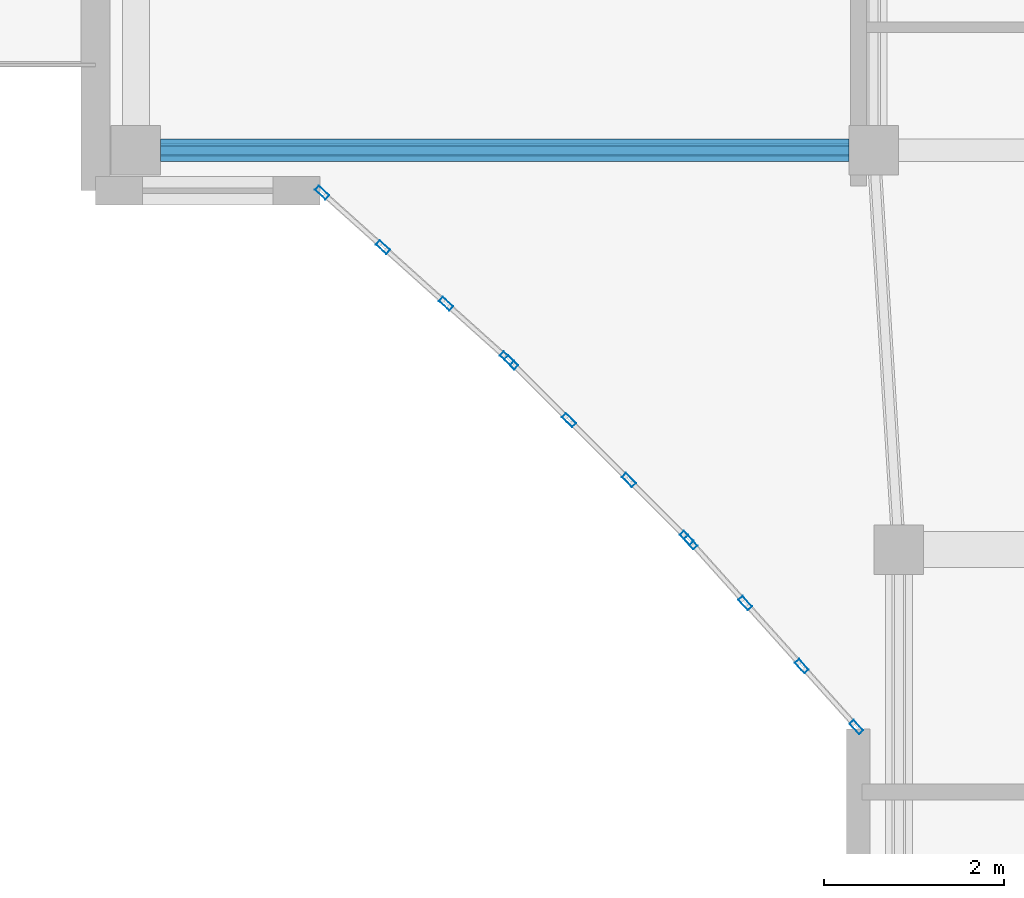
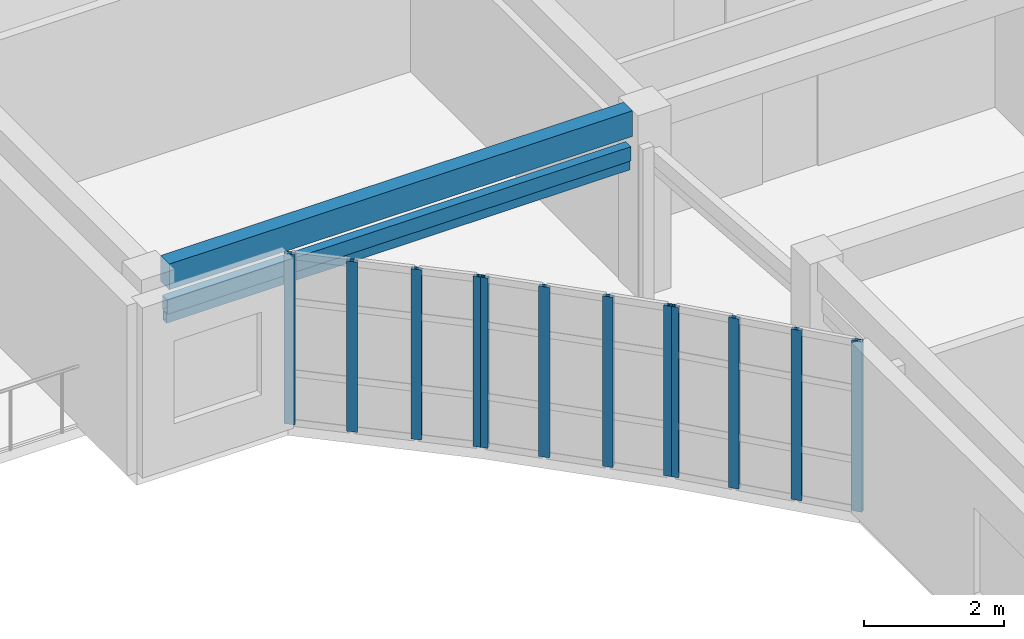
# One storey, part 4 of 68: 14 members, 1 beam, 3 elements without a shape of their own.
"""IFC4 building model written with IfcOpenShell, lengths in metres."""

from ifc_helpers import new_model, si_unit, direction, frame, origin, origin_2d, place, context, subcontext, project, spatial, rectangle, hollow_rectangle, extrude, material, layer, layer_set, material_profile, profile_set, type_object, element, aggregate, save


model = new_model("IFC4")

# Units and contexts
model_context = context("Model", 3, precision=1e-05, world=origin(), true_north=direction((0.0, 1.0)))
body_context = subcontext(model_context, "Body", "Model", "MODEL_VIEW")
ifc_project = project(units=[si_unit("LENGTHUNIT", "METRE"), si_unit("AREAUNIT", "SQUARE_METRE"), si_unit("VOLUMEUNIT", "CUBIC_METRE"), si_unit("PLANEANGLEUNIT", "RADIAN"), si_unit("MASSUNIT", "GRAM", prefix="KILO")], contexts=[model_context])

# Site, building, storey
site_placement = place(None, origin())
site = spatial("IfcSite", under=ifc_project, at=site_placement, CompositionType="ELEMENT")
building_placement = place(site_placement, origin())
building = spatial("IfcBuilding", under=site, at=building_placement, Name="Keldmere Railside Commons", CompositionType="ELEMENT")
storey_placement = place(building_placement, frame((0.0, 0.0, 23.360107421875)))
storey = spatial("IfcBuildingStorey", under=building, at=storey_placement, Name="L07", CompositionType="ELEMENT", Elevation=23.360107421875)

# Member
ifc_material_1 = material(Name="Steel F-36 (S355)", Category="steel")
ifc_material_profile_1 = material_profile(ifc_material_1, hollow_rectangle(XDim=0.14990234375, YDim=0.25, WallThickness=0.010009765625, at=origin_2d()), Name="RHS-250x150x10")
ifc_profile_set_1 = profile_set([ifc_material_profile_1], Name="Steel F-36 (S355)")
member_type_1 = type_object("IfcMemberType", Name="Balcony Continuous Planted Trough RHS250x150", PredefinedType="CHORD", material=ifc_profile_set_1)
member_1_placement = place(storey_placement, frame((40.22509765625, 100.449951171875, 2.414794921875), z_axis=(1.0, 0.0, 0.0), x_axis=(0.0, 1.0, 0.0)))
element("IfcMember", 1, at=member_1_placement, inside=storey, type_object=member_type_1, Name="PLT-1 MEM-BPLT-0793", PredefinedType="CHORD", context=body_context, shape_type="SweptSolid", body=[
    extrude(hollow_rectangle(XDim=0.14990234375, YDim=0.25, WallThickness=0.010009765625, at=origin_2d()), origin(), (0.0, 0.0, 1.0), 7.669921875),
])

# Beam
ifc_material_2 = material(Name="Architectural Precast Concrete H-35 (C35/45)", Category="concrete")
ifc_material_profile_2 = material_profile(ifc_material_2, rectangle(XDim=0.25, YDim=0.449951171875, at=origin_2d()), Name="RC-250x450")
ifc_profile_set_2 = profile_set([ifc_material_profile_2], Name="Architectural Precast Concrete H-35 (C35/45)")
beam_type = type_object("IfcBeamType", Name="Perimeter Precast Spandrel Beam 250x450", PredefinedType="SPANDREL", material=ifc_profile_set_2)
beam_placement = place(storey_placement, frame((40.22509765625, 100.449951171875, 2.974853515625), z_axis=(1.0, 0.0, 0.0), x_axis=(0.0, 1.0, 0.0)))
element("IfcBeam", 2, at=beam_placement, inside=storey, type_object=beam_type, Name="SPB-1 BM-L07-2055", PredefinedType="SPANDREL", context=body_context, shape_type="SweptSolid", body=[
    extrude(rectangle(XDim=0.25, YDim=0.449951171875, at=origin_2d()), origin(), (0.0, 0.0, 1.0), 7.669921875),
])

# Member
ifc_material_profile_3 = material_profile(ifc_material_1, hollow_rectangle(XDim=0.10009765625, YDim=0.159912109375, WallThickness=0.008056640625, at=origin_2d()), Name="RHS-160x100x8")
ifc_profile_set_3 = profile_set([ifc_material_profile_3], Name="Steel F-36 (S355)")
member_type_2 = type_object("IfcMemberType", Name="Solar Brise-Soleil Louvre Fin RHS160x100", PredefinedType="STRUT", material=ifc_profile_set_3)
member_2_placement = place(storey_placement, frame((40.22509765625, 100.449951171875, 2.199951171875), z_axis=(1.0, 0.0, 0.0), x_axis=(0.0, 1.0, 0.0)))
element("IfcMember", 3, at=member_2_placement, inside=storey, type_object=member_type_2, Name="BSF-1 MEM-BSF-0794", PredefinedType="STRUT", context=body_context, shape_type="SweptSolid", body=[
    extrude(hollow_rectangle(XDim=0.10009765625, YDim=0.159912109375, WallThickness=0.008056640625, at=origin_2d()), origin(), (0.0, 0.0, 1.0), 7.669921875),
])

# Curtain wall, members
ifc_material_3 = material(Name="Thermally Broken Aluminium", Category="aluminium")
ifc_layer_1 = layer(ifc_material_3, 0.159912109375, Name="Court Chord Wintergarden CW 4800x2850")
ifc_layer_set_1 = layer_set([ifc_layer_1], Name="Thermally Broken Aluminium")
curtain_wall_type_1 = type_object("IfcCurtainWallType", Name="Court Chord Wintergarden CW 4800x2850", PredefinedType="NOTDEFINED", material=ifc_layer_set_1)
curtain_wall_1_placement = place(storey_placement, origin())
curtain_wall_1 = element("IfcCurtainWall", 4, at=curtain_wall_1_placement, inside=storey, type_object=curtain_wall_type_1, Name="CW-12 CW-L07-070", PredefinedType="NOTDEFINED")
ifc_material_profile_4 = material_profile(ifc_material_3, hollow_rectangle(XDim=0.06494140625, YDim=0.159912109375, WallThickness=0.00390625, at=origin_2d()), Name="ALU-MULL-65x160")
ifc_profile_set_4 = profile_set([ifc_material_profile_4], Name="Thermally Broken Aluminium")
member_type_3 = type_object("IfcMemberType", Name="Unitised Curtain Wall Mullion 65x160", PredefinedType="MULLION", material=ifc_profile_set_4)
member_3_placement = place(storey_placement, frame((44.083740234375, 98.131591796875, 0.0), z_axis=(0.0, 0.0, 1.0), x_axis=(-0.667558519879, -0.744557333277, 0.0)))
member_3 = element("IfcMember", 5, at=member_3_placement, type_object=member_type_3, Name="CW-12 mullion 1", PredefinedType="MULLION", context=body_context, shape_type="SweptSolid", body=[
    extrude(hollow_rectangle(XDim=0.06494140625, YDim=0.159912109375, WallThickness=0.00390625, at=origin_2d()), origin(), (0.0, 0.0, 1.0), 2.97998046875),
])
member_4_placement = place(storey_placement, frame((43.4052734375, 98.739990234375, 0.0), z_axis=(0.0, 0.0, 1.0), x_axis=(-0.667558519879, -0.744557333277, 0.0)))
member_4 = element("IfcMember", 6, at=member_4_placement, type_object=member_type_3, Name="CW-12 mullion 2", PredefinedType="MULLION", context=body_context, shape_type="SweptSolid", body=[
    extrude(hollow_rectangle(XDim=0.06494140625, YDim=0.159912109375, WallThickness=0.00390625, at=origin_2d()), origin(), (0.0, 0.0, 1.0), 2.97998046875),
])
member_5_placement = place(storey_placement, frame((42.70263671875, 99.3701171875, 0.0), z_axis=(0.0, 0.0, 1.0), x_axis=(-0.667558519879, -0.744557333277, 0.0)))
member_5 = element("IfcMember", 7, at=member_5_placement, type_object=member_type_3, Name="CW-12 mullion 3", PredefinedType="MULLION", context=body_context, shape_type="SweptSolid", body=[
    extrude(hollow_rectangle(XDim=0.06494140625, YDim=0.159912109375, WallThickness=0.00390625, at=origin_2d()), origin(), (0.0, 0.0, 1.0), 2.97998046875),
])
member_6_placement = place(storey_placement, frame((42.024169921875, 99.978271484375, 0.0), z_axis=(0.0, 0.0, 1.0), x_axis=(-0.667558519879, -0.744557333277, 0.0)))
member_6 = element("IfcMember", 8, at=member_6_placement, type_object=member_type_3, Name="CW-12 mullion 4", PredefinedType="MULLION", context=body_context, shape_type="SweptSolid", body=[
    extrude(hollow_rectangle(XDim=0.06494140625, YDim=0.159912109375, WallThickness=0.00390625, at=origin_2d()), origin(), (0.0, 0.0, 1.0), 2.97998046875),
])
aggregate(curtain_wall_1, [member_3, member_4, member_5, member_6])

ifc_layer_2 = layer(ifc_material_3, 0.159912109375, Name="Court Chord Wintergarden CW 5400x2850")
ifc_layer_set_2 = layer_set([ifc_layer_2], Name="Thermally Broken Aluminium")
curtain_wall_type_2 = type_object("IfcCurtainWallType", Name="Court Chord Wintergarden CW 5400x2850", PredefinedType="NOTDEFINED", material=ifc_layer_set_2)
curtain_wall_2_placement = place(storey_placement, origin())
curtain_wall_2 = element("IfcCurtainWall", 9, at=curtain_wall_2_placement, inside=storey, type_object=curtain_wall_type_2, Name="CW-13 CW-L07-071", PredefinedType="NOTDEFINED")
member_7_placement = place(storey_placement, frame((46.0869140625, 96.130859375, 0.0), z_axis=(0.0, 0.0, 1.0), x_axis=(-0.707106781187, -0.707106781187, 0.0)))
member_7 = element("IfcMember", 10, at=member_7_placement, type_object=member_type_3, Name="CW-13 mullion 1", PredefinedType="MULLION", context=body_context, shape_type="SweptSolid", body=[
    extrude(hollow_rectangle(XDim=0.06494140625, YDim=0.159912109375, WallThickness=0.00390625, at=origin_2d()), origin(), (0.0, 0.0, 1.0), 2.97998046875),
])
member_8_placement = place(storey_placement, frame((45.442626953125, 96.775390625, 0.0), z_axis=(0.0, 0.0, 1.0), x_axis=(-0.707106781187, -0.707106781187, 0.0)))
member_8 = element("IfcMember", 11, at=member_8_placement, type_object=member_type_3, Name="CW-13 mullion 2", PredefinedType="MULLION", context=body_context, shape_type="SweptSolid", body=[
    extrude(hollow_rectangle(XDim=0.06494140625, YDim=0.159912109375, WallThickness=0.00390625, at=origin_2d()), origin(), (0.0, 0.0, 1.0), 2.97998046875),
])
member_9_placement = place(storey_placement, frame((44.775390625, 97.442626953125, 0.0), z_axis=(0.0, 0.0, 1.0), x_axis=(-0.707106781187, -0.707106781187, 0.0)))
member_9 = element("IfcMember", 12, at=member_9_placement, type_object=member_type_3, Name="CW-13 mullion 3", PredefinedType="MULLION", context=body_context, shape_type="SweptSolid", body=[
    extrude(hollow_rectangle(XDim=0.06494140625, YDim=0.159912109375, WallThickness=0.00390625, at=origin_2d()), origin(), (0.0, 0.0, 1.0), 2.97998046875),
])
member_10_placement = place(storey_placement, frame((44.130859375, 98.0869140625, 0.0), z_axis=(0.0, 0.0, 1.0), x_axis=(-0.707106781187, -0.707106781187, 0.0)))
member_10 = element("IfcMember", 13, at=member_10_placement, type_object=member_type_3, Name="CW-13 mullion 4", PredefinedType="MULLION", context=body_context, shape_type="SweptSolid", body=[
    extrude(hollow_rectangle(XDim=0.06494140625, YDim=0.159912109375, WallThickness=0.00390625, at=origin_2d()), origin(), (0.0, 0.0, 1.0), 2.97998046875),
])
aggregate(curtain_wall_2, [member_7, member_8, member_9, member_10])

curtain_wall_3_placement = place(storey_placement, origin())
curtain_wall_3 = element("IfcCurtainWall", 14, at=curtain_wall_3_placement, inside=storey, type_object=curtain_wall_type_1, Name="CW-12 CW-L07-072", PredefinedType="NOTDEFINED")
member_11_placement = place(storey_placement, frame((47.978271484375, 94.024169921875, 0.0), z_axis=(0.0, 0.0, 1.0), x_axis=(-0.744557333277, -0.667558519879, 0.0)))
member_11 = element("IfcMember", 15, at=member_11_placement, type_object=member_type_3, Name="CW-12 mullion 1", PredefinedType="MULLION", context=body_context, shape_type="SweptSolid", body=[
    extrude(hollow_rectangle(XDim=0.06494140625, YDim=0.159912109375, WallThickness=0.00390625, at=origin_2d()), origin(), (0.0, 0.0, 1.0), 2.97998046875),
])
member_12_placement = place(storey_placement, frame((47.3701171875, 94.70263671875, 0.0), z_axis=(0.0, 0.0, 1.0), x_axis=(-0.744557333277, -0.667558519879, 0.0)))
member_12 = element("IfcMember", 16, at=member_12_placement, type_object=member_type_3, Name="CW-12 mullion 2", PredefinedType="MULLION", context=body_context, shape_type="SweptSolid", body=[
    extrude(hollow_rectangle(XDim=0.06494140625, YDim=0.159912109375, WallThickness=0.00390625, at=origin_2d()), origin(), (0.0, 0.0, 1.0), 2.97998046875),
])
member_13_placement = place(storey_placement, frame((46.739990234375, 95.4052734375, 0.0), z_axis=(0.0, 0.0, 1.0), x_axis=(-0.744557333277, -0.667558519879, 0.0)))
member_13 = element("IfcMember", 17, at=member_13_placement, type_object=member_type_3, Name="CW-12 mullion 3", PredefinedType="MULLION", context=body_context, shape_type="SweptSolid", body=[
    extrude(hollow_rectangle(XDim=0.06494140625, YDim=0.159912109375, WallThickness=0.00390625, at=origin_2d()), origin(), (0.0, 0.0, 1.0), 2.97998046875),
])
member_14_placement = place(storey_placement, frame((46.131591796875, 96.083740234375, 0.0), z_axis=(0.0, 0.0, 1.0), x_axis=(-0.744557333277, -0.667558519879, 0.0)))
member_14 = element("IfcMember", 18, at=member_14_placement, type_object=member_type_3, Name="CW-12 mullion 4", PredefinedType="MULLION", context=body_context, shape_type="SweptSolid", body=[
    extrude(hollow_rectangle(XDim=0.06494140625, YDim=0.159912109375, WallThickness=0.00390625, at=origin_2d()), origin(), (0.0, 0.0, 1.0), 2.97998046875),
])
aggregate(curtain_wall_3, [member_11, member_12, member_13, member_14])

save(model, "model.ifc")
